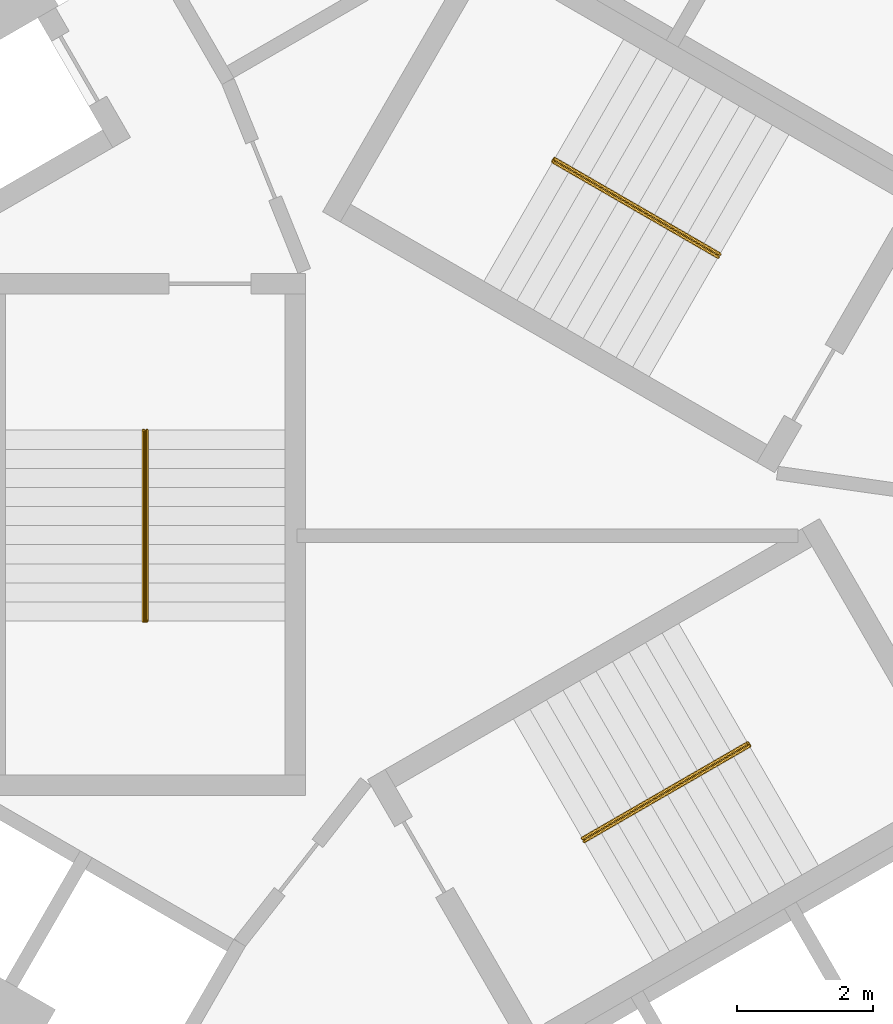
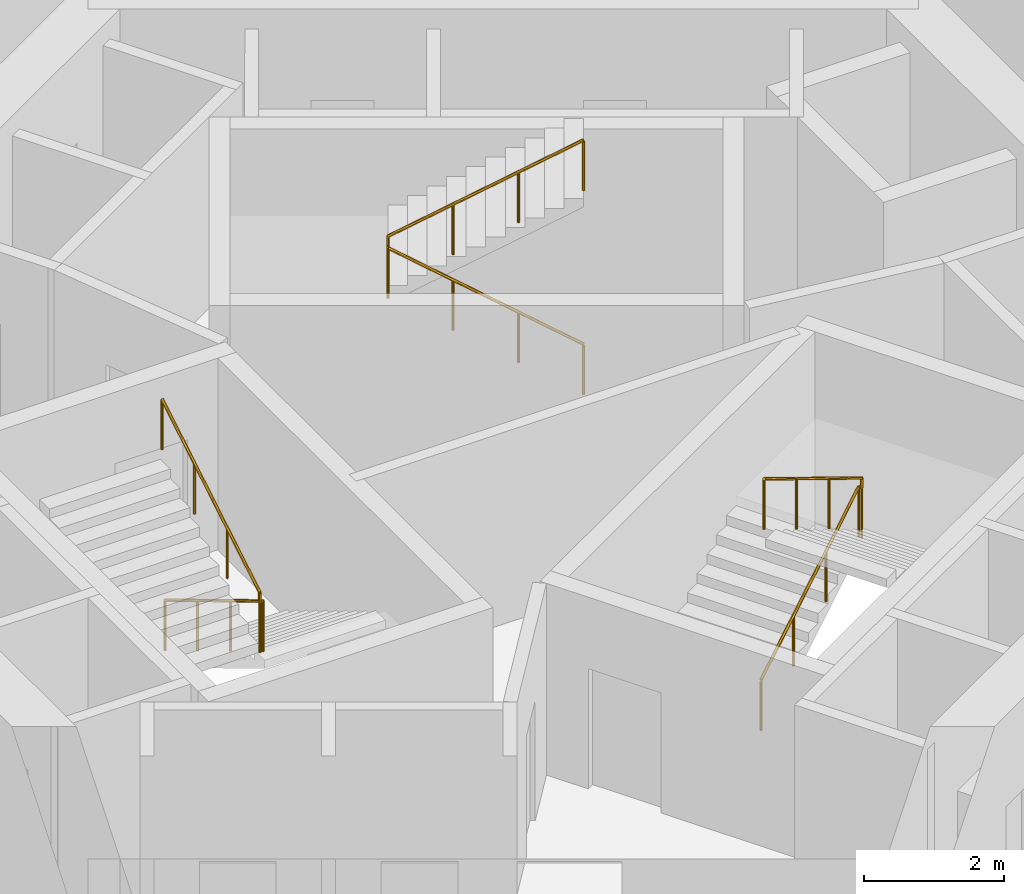
# One storey, part 11 of 11: 3 railings.
"""IFC4 building model written with IfcOpenShell, lengths in metres."""

from ifc_helpers import new_model, si_unit, direction, frame, origin, origin_2d, place, context, subcontext, project, spatial, circle, extrude, material, type_object, element, save


model = new_model("IFC4")

# Units and contexts
model_context = context("Model", 3, precision=1e-05, world=origin(), true_north=direction((0.0, 1.0)))
body_context = subcontext(model_context, "Body", "Model", "MODEL_VIEW")
ifc_project = project(units=[si_unit("LENGTHUNIT", "METRE"), si_unit("AREAUNIT", "SQUARE_METRE"), si_unit("VOLUMEUNIT", "CUBIC_METRE"), si_unit("PLANEANGLEUNIT", "RADIAN"), si_unit("MASSUNIT", "GRAM", prefix="KILO")], contexts=[model_context])

# Site, building, storey
site_placement = place(None, origin())
site = spatial("IfcSite", under=ifc_project, at=site_placement, CompositionType="ELEMENT")
building_placement = place(site_placement, origin())
building = spatial("IfcBuilding", under=site, at=building_placement, Name="Vanh Sen Convention Tower", CompositionType="ELEMENT")
storey_placement = place(building_placement, frame((0.0, 0.0, 251.300048828125)))
storey = spatial("IfcBuildingStorey", under=building, at=storey_placement, Name="L62", CompositionType="ELEMENT", Elevation=251.300048828125)

# Railings
ifc_material = material(Name="Stainless steel handrail", Category="steel")
railing_type = type_object("IfcRailingType", Name="Stair handrail 900", PredefinedType="HANDRAIL", material=ifc_material)
railing_1_placement = place(storey_placement, frame((3.45849609375, 3.690185546875, 0.168212890625)))
element("IfcRailing", 1, at=railing_1_placement, inside=storey, type_object=railing_type, Name="Stair handrail ST1 L62", PredefinedType="HANDRAIL", context=body_context, shape_type="SweptSolid", body=[
    extrude(circle(Radius=0.02392578125, at=origin_2d()), frame((0.0, 0.0, 0.8759765625), z_axis=(-0.74241905619, 0.428617687091, 0.514879426), x_axis=(-0.49998411664, -0.866034573852, 0.0)), (0.0, 0.0, 1.0), 3.26611328125),
    extrude(circle(Radius=0.02392578125, at=origin_2d()), frame((-2.4248046875, 1.39990234375, 2.5576171875), z_axis=(0.497188445666, 0.867642581652, 0.0), x_axis=(-0.867642581652, 0.497188445666, 0.0)), (0.0, 0.0, 1.0), 0.050048828125),
    extrude(circle(Radius=0.02392578125, at=origin_2d()), frame((-2.39990234375, 1.443359375, 2.5576171875), z_axis=(0.0, 0.0, 1.0), x_axis=(1.0, 0.0, 0.0)), (0.0, 0.0, 1.0), 0.168212890625),
    extrude(circle(Radius=0.02392578125, at=origin_2d()), frame((-2.39990234375, 1.443359375, 2.7255859375), z_axis=(0.742366697286, -0.42866220388, 0.514917859203), x_axis=(0.500049511043, 0.865996816683, 0.0)), (0.0, 0.0, 1.0), 3.266357421875),
    extrude(circle(Radius=0.02099609375, at=origin_2d()), origin(), (0.0, 0.0, 1.0), 0.851806640625),
    extrude(circle(Radius=0.02099609375, at=origin_2d()), frame((-0.808349609375, 0.466552734375, 0.560546875)), (0.0, 0.0, 1.0), 0.851806640625),
    extrude(circle(Radius=0.02099609375, at=origin_2d()), frame((-1.616455078125, 0.933349609375, 1.12109375)), (0.0, 0.0, 1.0), 0.851806640625),
    extrude(circle(Radius=0.02099609375, at=origin_2d()), frame((-2.4248046875, 1.39990234375, 1.681640625)), (0.0, 0.0, 1.0), 0.851806640625),
    extrude(circle(Radius=0.02099609375, at=origin_2d()), frame((-2.39990234375, 1.443359375, 1.681640625)), (0.0, 0.0, 1.0), 0.851806640625),
    extrude(circle(Radius=0.02099609375, at=origin_2d()), frame((-2.39990234375, 1.443359375, 1.849853515625)), (0.0, 0.0, 1.0), 0.851806640625),
    extrude(circle(Radius=0.02099609375, at=origin_2d()), frame((-1.591552734375, 0.9765625, 2.410400390625)), (0.0, 0.0, 1.0), 0.851806640625),
    extrude(circle(Radius=0.02099609375, at=origin_2d()), frame((-0.783447265625, 0.510009765625, 2.97119140625)), (0.0, 0.0, 1.0), 0.851806640625),
    extrude(circle(Radius=0.02099609375, at=origin_2d()), frame((0.02490234375, 0.043212890625, 3.53173828125)), (0.0, 0.0, 1.0), 0.851806640625),
])
railing_2_placement = place(storey_placement, frame((-4.925048828125, 1.14990234375, 0.168212890625)))
element("IfcRailing", 2, at=railing_2_placement, inside=storey, type_object=railing_type, Name="Stair handrail ST2 L62", PredefinedType="HANDRAIL", context=body_context, shape_type="SweptSolid", body=[
    extrude(circle(Radius=0.02392578125, at=origin_2d()), frame((0.0, 0.0, 0.8759765625), z_axis=(0.0, -0.857255387014, 0.514891446264), x_axis=(1.0, 0.0, 0.0)), (0.0, 0.0, 1.0), 3.26611328125),
    extrude(circle(Radius=0.02392578125, at=origin_2d()), frame((0.0, -2.7998046875, 2.5576171875), z_axis=(-1.0, 0.0, 0.0), x_axis=(0.0, -1.0, 0.0)), (0.0, 0.0, 1.0), 0.050048828125),
    extrude(circle(Radius=0.02392578125, at=origin_2d()), frame((-0.050048828125, -2.7998046875, 2.5576171875), z_axis=(0.0, 0.0, 1.0), x_axis=(1.0, 0.0, 0.0)), (0.0, 0.0, 1.0), 0.168212890625),
    extrude(circle(Radius=0.02392578125, at=origin_2d()), frame((-0.050048828125, -2.7998046875, 2.7255859375), z_axis=(0.0, 0.857222391501, 0.514946377315), x_axis=(-1.0, 0.0, 0.0)), (0.0, 0.0, 1.0), 3.26611328125),
    extrude(circle(Radius=0.02099609375, at=origin_2d()), origin(), (0.0, 0.0, 1.0), 0.851806640625),
    extrude(circle(Radius=0.02099609375, at=origin_2d()), frame((0.0, -0.933349609375, 0.560546875)), (0.0, 0.0, 1.0), 0.851806640625),
    extrude(circle(Radius=0.02099609375, at=origin_2d()), frame((0.0, -1.866455078125, 1.12109375)), (0.0, 0.0, 1.0), 0.851806640625),
    extrude(circle(Radius=0.02099609375, at=origin_2d()), frame((0.0, -2.7998046875, 1.681640625)), (0.0, 0.0, 1.0), 0.851806640625),
    extrude(circle(Radius=0.02099609375, at=origin_2d()), frame((-0.050048828125, -2.7998046875, 1.681640625)), (0.0, 0.0, 1.0), 0.851806640625),
    extrude(circle(Radius=0.02099609375, at=origin_2d()), frame((-0.050048828125, -2.7998046875, 1.849853515625)), (0.0, 0.0, 1.0), 0.851806640625),
    extrude(circle(Radius=0.02099609375, at=origin_2d()), frame((-0.050048828125, -1.866455078125, 2.410400390625)), (0.0, 0.0, 1.0), 0.851806640625),
    extrude(circle(Radius=0.02099609375, at=origin_2d()), frame((-0.050048828125, -0.933349609375, 2.97119140625)), (0.0, 0.0, 1.0), 0.851806640625),
    extrude(circle(Radius=0.02099609375, at=origin_2d()), frame((-0.050048828125, 0.0, 3.53173828125)), (0.0, 0.0, 1.0), 0.851806640625),
])
railing_3_placement = place(storey_placement, frame((1.466552734375, -4.840087890625, 0.168212890625)))
element("IfcRailing", 3, at=railing_3_placement, inside=storey, type_object=railing_type, Name="Stair handrail ST3 L62", PredefinedType="HANDRAIL", context=body_context, shape_type="SweptSolid", body=[
    extrude(circle(Radius=0.02392578125, at=origin_2d()), frame((0.0, 0.0, 0.8759765625), z_axis=(0.74241905619, 0.428617687091, 0.514879426), x_axis=(-0.49998411664, 0.866034573852, 0.0)), (0.0, 0.0, 1.0), 3.26611328125),
    extrude(circle(Radius=0.02392578125, at=origin_2d()), frame((2.4248046875, 1.39990234375, 2.5576171875), z_axis=(0.502959906984, -0.86430974307, 0.0), x_axis=(0.86430974307, 0.502959906984, 0.0)), (0.0, 0.0, 1.0), 0.050048828125),
    extrude(circle(Radius=0.02392578125, at=origin_2d()), frame((2.449951171875, 1.356689453125, 2.5576171875), z_axis=(0.0, 0.0, 1.0), x_axis=(1.0, 0.0, 0.0)), (0.0, 0.0, 1.0), 0.168212890625),
    extrude(circle(Radius=0.02392578125, at=origin_2d()), frame((2.449951171875, 1.356689453125, 2.7255859375), z_axis=(-0.742366697286, -0.42866220388, 0.514917859203), x_axis=(0.500049511043, -0.865996816683, 0.0)), (0.0, 0.0, 1.0), 3.266357421875),
    extrude(circle(Radius=0.02099609375, at=origin_2d()), origin(), (0.0, 0.0, 1.0), 0.851806640625),
    extrude(circle(Radius=0.02099609375, at=origin_2d()), frame((0.808349609375, 0.466552734375, 0.560546875)), (0.0, 0.0, 1.0), 0.851806640625),
    extrude(circle(Radius=0.02099609375, at=origin_2d()), frame((1.616455078125, 0.933349609375, 1.12109375)), (0.0, 0.0, 1.0), 0.851806640625),
    extrude(circle(Radius=0.02099609375, at=origin_2d()), frame((2.4248046875, 1.39990234375, 1.681640625)), (0.0, 0.0, 1.0), 0.851806640625),
    extrude(circle(Radius=0.02099609375, at=origin_2d()), frame((2.449951171875, 1.356689453125, 1.681640625)), (0.0, 0.0, 1.0), 0.851806640625),
    extrude(circle(Radius=0.02099609375, at=origin_2d()), frame((2.449951171875, 1.356689453125, 1.849853515625)), (0.0, 0.0, 1.0), 0.851806640625),
    extrude(circle(Radius=0.02099609375, at=origin_2d()), frame((1.6416015625, 0.889892578125, 2.410400390625)), (0.0, 0.0, 1.0), 0.851806640625),
    extrude(circle(Radius=0.02099609375, at=origin_2d()), frame((0.83349609375, 0.42333984375, 2.97119140625)), (0.0, 0.0, 1.0), 0.851806640625),
    extrude(circle(Radius=0.02099609375, at=origin_2d()), frame((0.025146484375, -0.04345703125, 3.53173828125)), (0.0, 0.0, 1.0), 0.851806640625),
])

save(model, "model.ifc")
